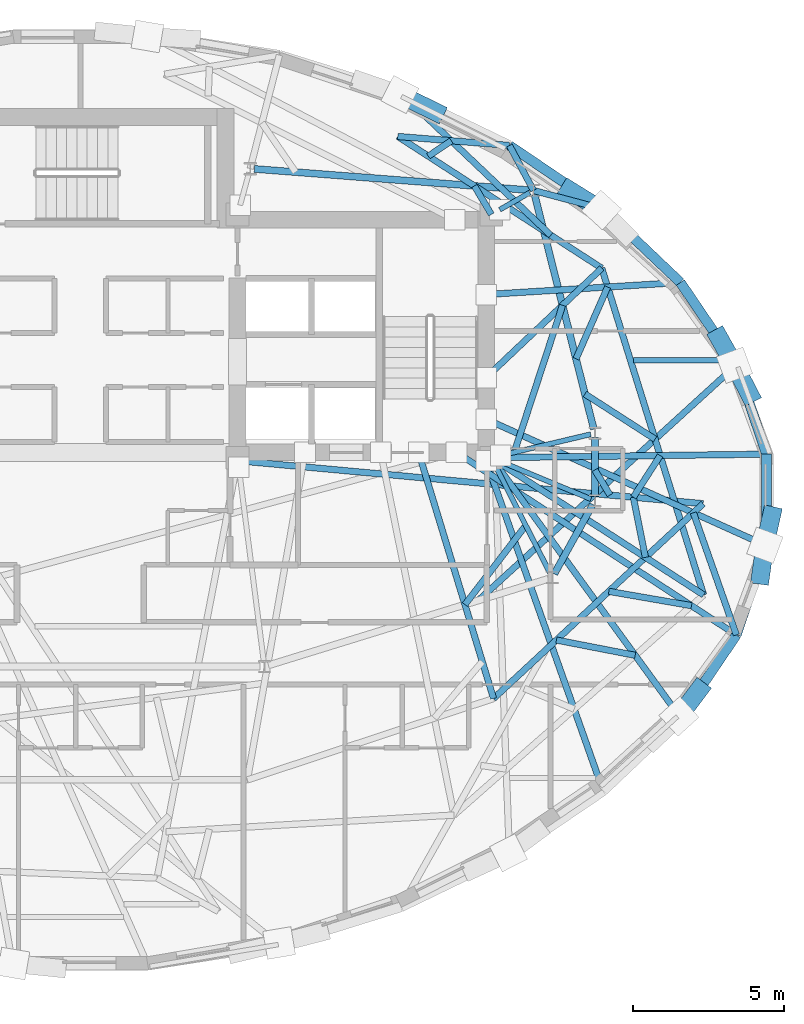
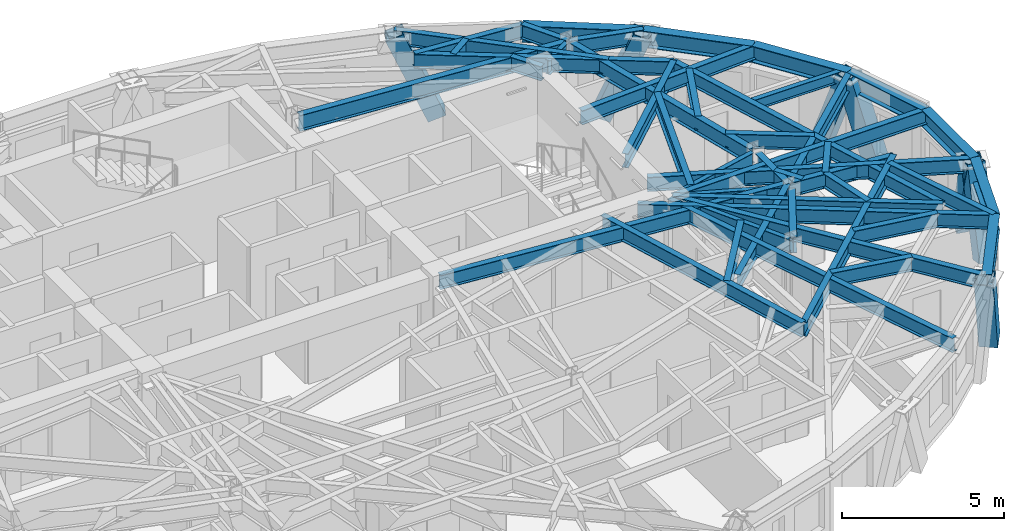
# One storey, part 4 of 14: 46 beams, 7 members.
"""IFC4 building model written with IfcOpenShell, lengths in metres."""

from ifc_helpers import new_model, si_unit, direction, frame, origin, origin_2d, place, context, subcontext, project, spatial, hollow_rectangle, i_section, extrude, material, material_profile, profile_set, type_object, element, save


model = new_model("IFC4")

# Units and contexts
model_context = context("Model", 3, precision=1e-05, world=origin(), true_north=direction((0.0, 1.0)))
body_context = subcontext(model_context, "Body", "Model", "MODEL_VIEW")
ifc_project = project(units=[si_unit("LENGTHUNIT", "METRE"), si_unit("AREAUNIT", "SQUARE_METRE"), si_unit("VOLUMEUNIT", "CUBIC_METRE"), si_unit("PLANEANGLEUNIT", "RADIAN"), si_unit("MASSUNIT", "GRAM", prefix="KILO")], contexts=[model_context])

# Site, building, storey
site_placement = place(None, origin())
site = spatial("IfcSite", under=ifc_project, at=site_placement, CompositionType="ELEMENT")
building_placement = place(site_placement, origin())
building = spatial("IfcBuilding", under=site, at=building_placement, Name="Keldmark Tower", CompositionType="ELEMENT")
storey_placement = place(building_placement, frame((0.0, 0.0, 222.60009765625)))
storey = spatial("IfcBuildingStorey", under=building, at=storey_placement, Name="L62", CompositionType="ELEMENT", Elevation=222.60009765625)

# Beam
ifc_material_1 = material(Name="Steel ASTM A992 Grade 50", Category="steel")
ifc_material_profile_1 = material_profile(ifc_material_1, i_section(OverallWidth=0.177978515625, OverallDepth=0.403076171875, WebThickness=0.007568359375, FlangeThickness=0.010986328125, at=origin_2d()), Name="W16X36")
ifc_profile_set_1 = profile_set([ifc_material_profile_1], Name="Steel ASTM A992 Grade 50")
beam_type_1 = type_object("IfcBeamType", Name="Composite Floor Joist W16X36", PredefinedType="JOIST", material=ifc_profile_set_1)
beam_1_placement = place(storey_placement, frame((18.306396484375, 4.6201171875, 2.768310546875), z_axis=(1.0, 0.0, 0.0), x_axis=(0.0, 1.0, 0.0)))
element("IfcBeam", 1, at=beam_1_placement, inside=storey, type_object=beam_type_1, Name="L62 Composite Floor Joist J08", PredefinedType="JOIST", context=body_context, shape_type="SweptSolid", body=[
    extrude(i_section(OverallWidth=0.177978515625, OverallDepth=0.403076171875, WebThickness=0.007568359375, FlangeThickness=0.010986328125, at=origin_2d()), origin(), (0.0, 0.0, 1.0), 3.10986328125),
])

# Members
ifc_material_2 = material(Name="Steel ASTM A572 Grade 50", Category="steel")
ifc_material_profile_2 = material_profile(ifc_material_2, hollow_rectangle(XDim=0.60009765625, YDim=0.60009765625, WallThickness=0.034912109375, at=origin_2d()), Name="BOX600X600X35")
ifc_profile_set_2 = profile_set([ifc_material_profile_2], Name="Steel ASTM A572 Grade 50")
member_type = type_object("IfcMemberType", Name="Diagrid Zone 4 Brace BOX600X600X35", PredefinedType="BRACE", material=ifc_profile_set_2)
member_1_placement = place(storey_placement, frame((22.144775390625, 3.5, -0.260009765625), z_axis=(-0.150685505266, 0.291582385191, 0.944602345513), x_axis=(-0.88838290515, -0.45910327143, 0.0)))
element("IfcMember", 2, at=member_1_placement, inside=storey, type_object=member_type, Name="L62 Perimeter Diagrid Brace 01A", PredefinedType="BRACE", context=body_context, shape_type="SweptSolid", body=[
    extrude(hollow_rectangle(XDim=0.60009765625, YDim=0.60009765625, WallThickness=0.034912109375, at=origin_2d()), origin(), (0.0, 0.0, 1.0), 3.292236328125),
])
member_2_placement = place(storey_placement, frame((21.127685546875, 5.379638671875, -0.260009765625), z_axis=(0.159186475912, -0.283179673101, 0.945763680117), x_axis=(0.871709789127, 0.490022492892, 0.0)))
element("IfcMember", 3, at=member_2_placement, inside=storey, type_object=member_type, Name="L62 Perimeter Diagrid Brace 01B", PredefinedType="BRACE", context=body_context, shape_type="SweptSolid", body=[
    extrude(hollow_rectangle(XDim=0.60009765625, YDim=0.60009765625, WallThickness=0.034912109375, at=origin_2d()), origin(), (0.0, 0.0, 1.0), 3.2880859375),
])
member_3_placement = place(storey_placement, frame((16.172119140625, 10.261962890625, -0.260009765625), z_axis=(0.32205725029, -0.199714726155, 0.925415126142), x_axis=(0.527014445873, 0.849856325411, 0.0)))
element("IfcMember", 4, at=member_3_placement, inside=storey, type_object=member_type, Name="L62 Perimeter Diagrid Brace 02B", PredefinedType="BRACE", context=body_context, shape_type="SweptSolid", body=[
    extrude(hollow_rectangle(XDim=0.60009765625, YDim=0.60009765625, WallThickness=0.034912109375, at=origin_2d()), origin(), (0.0, 0.0, 1.0), 3.360595703125),
])
member_4_placement = place(storey_placement, frame((11.763427734375, 12.83984375, -0.260009765625), z_axis=(-0.351630084387, 0.171516297583, 0.920292585767), x_axis=(-0.438401801846, -0.898779094182, 0.0)))
element("IfcMember", 5, at=member_4_placement, inside=storey, type_object=member_type, Name="L62 Perimeter Diagrid Brace 03A", PredefinedType="BRACE", context=body_context, shape_type="SweptSolid", body=[
    extrude(hollow_rectangle(XDim=0.60009765625, YDim=0.60009765625, WallThickness=0.034912109375, at=origin_2d()), origin(), (0.0, 0.0, 1.0), 3.379150390625),
])
member_5_placement = place(storey_placement, frame((20.477783203125, -6.272705078125, -0.260009765625), z_axis=(-0.204034138195, -0.271233220988, 0.94063946881), x_axis=(0.799137594781, -0.60114815529, 0.0)))
element("IfcMember", 6, at=member_5_placement, inside=storey, type_object=member_type, Name="L62 Perimeter Diagrid Brace 15B", PredefinedType="BRACE", context=body_context, shape_type="SweptSolid", body=[
    extrude(hollow_rectangle(XDim=0.60009765625, YDim=0.60009765625, WallThickness=0.034912109375, at=origin_2d()), origin(), (0.0, 0.0, 1.0), 3.30615234375),
])
member_6_placement = place(storey_placement, frame((22.511962890625, -2.50146484375, -0.260009765625), z_axis=(0.042776945378, 0.306381472655, 0.950947173169), x_axis=(-0.990393369826, 0.13827860646, 0.0)))
element("IfcMember", 7, at=member_6_placement, inside=storey, type_object=member_type, Name="L62 Perimeter Diagrid Brace 16A", PredefinedType="BRACE", context=body_context, shape_type="SweptSolid", body=[
    extrude(hollow_rectangle(XDim=0.60009765625, YDim=0.60009765625, WallThickness=0.034912109375, at=origin_2d()), origin(), (0.0, 0.0, 1.0), 3.270263671875),
])
member_7_placement = place(storey_placement, frame((22.87451171875, -0.504638671875, -0.260009765625), z_axis=(-0.068703196543, -0.307152468711, 0.949177134022), x_axis=(0.97588530932, -0.218283904705, 0.0)))
element("IfcMember", 8, at=member_7_placement, inside=storey, type_object=member_type, Name="L62 Perimeter Diagrid Brace 16B", PredefinedType="BRACE", context=body_context, shape_type="SweptSolid", body=[
    extrude(hollow_rectangle(XDim=0.60009765625, YDim=0.60009765625, WallThickness=0.034912109375, at=origin_2d()), origin(), (0.0, 0.0, 1.0), 3.2763671875),
])

# Beams
ifc_material_3 = material(Name="Steel ASTM A992 Grade 50", Category="steel")
ifc_material_profile_3 = material_profile(ifc_material_3, i_section(OverallWidth=0.22802734375, OverallDepth=0.60302734375, WebThickness=0.010498046875, FlangeThickness=0.014892578125, at=origin_2d()), Name="W24X68")
ifc_profile_set_3 = profile_set([ifc_material_profile_3], Name="Steel ASTM A992 Grade 50")
beam_type_2 = type_object("IfcBeamType", Name="Primary Floor Girder W24X68", PredefinedType="BEAM", material=ifc_profile_set_3)
beam_2_placement = place(storey_placement, frame((16.9912109375, 2.34375, 2.66845703125), z_axis=(-0.244902129455, 0.969547805417, 0.0), x_axis=(-0.969547805417, -0.244902129455, 0.0)))
element("IfcBeam", 9, at=beam_2_placement, inside=storey, type_object=beam_type_2, Name="L62 Floor Ring Girder FG-R01", PredefinedType="BEAM", context=body_context, shape_type="SweptSolid", body=[
    extrude(i_section(OverallWidth=0.22802734375, OverallDepth=0.60302734375, WebThickness=0.010498046875, FlangeThickness=0.014892578125, at=origin_2d()), origin(), (0.0, 0.0, 1.0), 8.008056640625),
])
beam_3_placement = place(storey_placement, frame((14.856201171875, 10.25439453125, 2.66845703125), z_axis=(-0.997037147832, 0.076921556421, 0.0), x_axis=(-0.076921556421, -0.997037147832, 0.0)))
element("IfcBeam", 10, at=beam_3_placement, inside=storey, type_object=beam_type_2, Name="L62 Floor Ring Girder FG-R02", PredefinedType="BEAM", context=body_context, shape_type="SweptSolid", body=[
    extrude(i_section(OverallWidth=0.22802734375, OverallDepth=0.60302734375, WebThickness=0.010498046875, FlangeThickness=0.014892578125, at=origin_2d()), origin(), (0.0, 0.0, 1.0), 9.125),
])
beam_4_placement = place(storey_placement, frame((15.68408203125, -2.44482421875, 2.66845703125), z_axis=(0.484719680408, 0.874669555561, 0.0), x_axis=(-0.874669555561, 0.484719680408, 0.0)))
element("IfcBeam", 11, at=beam_4_placement, inside=storey, type_object=beam_type_2, Name="L62 Floor Ring Girder FG-R11", PredefinedType="BEAM", context=body_context, shape_type="SweptSolid", body=[
    extrude(i_section(OverallWidth=0.22802734375, OverallDepth=0.60302734375, WebThickness=0.010498046875, FlangeThickness=0.014892578125, at=origin_2d()), origin(), (0.0, 0.0, 1.0), 2.627685546875),
])
beam_5_placement = place(storey_placement, frame((17.025634765625, 0.115966796875, 2.66845703125), z_axis=(0.0, 1.0, 0.0), x_axis=(-1.0, 0.0, 0.0)))
element("IfcBeam", 12, at=beam_5_placement, inside=storey, type_object=beam_type_2, Name="L62 Floor Ring Girder FG-R12", PredefinedType="BEAM", context=body_context, shape_type="SweptSolid", body=[
    extrude(i_section(OverallWidth=0.22802734375, OverallDepth=0.60302734375, WebThickness=0.010498046875, FlangeThickness=0.014892578125, at=origin_2d()), origin(), (0.0, 0.0, 1.0), 1.9521484375),
])
ifc_material_4 = material(Name="Steel ASTM A992 Grade 50", Category="steel")
ifc_material_profile_4 = material_profile(ifc_material_4, i_section(OverallWidth=0.166015625, OverallDepth=0.529052734375, WebThickness=0.009765625, FlangeThickness=0.013671875, at=origin_2d()), Name="W21X50")
ifc_profile_set_4 = profile_set([ifc_material_profile_4], Name="Steel ASTM A992 Grade 50")
beam_type_3 = type_object("IfcBeamType", Name="Radial Tie Girder W21X50", PredefinedType="BEAM", material=ifc_profile_set_4)
beam_6_placement = place(storey_placement, frame((16.889404296875, 2.17578125, 2.705322265625), z_axis=(-0.97329039005, -0.229577474147, 0.0), x_axis=(0.229577474147, -0.97329039005, 0.0)))
element("IfcBeam", 13, at=beam_6_placement, inside=storey, type_object=beam_type_3, Name="L62 Floor Radial Girder FG-C01", PredefinedType="BEAM", context=body_context, shape_type="SweptSolid", body=[
    extrude(i_section(OverallWidth=0.166015625, OverallDepth=0.529052734375, WebThickness=0.009765625, FlangeThickness=0.013671875, at=origin_2d()), origin(), (0.0, 0.0, 1.0), 3.0595703125),
])
beam_7_placement = place(storey_placement, frame((14.8740234375, 10.174560546875, 2.705322265625), z_axis=(-0.869238046195, -0.494393789451, 0.0), x_axis=(0.494393789451, -0.869238046195, 0.0)))
element("IfcBeam", 14, at=beam_7_placement, inside=storey, type_object=beam_type_3, Name="L62 Floor Radial Girder FG-C02", PredefinedType="BEAM", context=body_context, shape_type="SweptSolid", body=[
    extrude(i_section(OverallWidth=0.166015625, OverallDepth=0.529052734375, WebThickness=0.009765625, FlangeThickness=0.013671875, at=origin_2d()), origin(), (0.0, 0.0, 1.0), 1.145751953125),
])
beam_8_placement = place(storey_placement, frame((15.552734375, -2.442626953125, 2.705322265625), z_axis=(-0.453004410574, 0.89150827478, 0.0), x_axis=(-0.89150827478, -0.453004410574, 0.0)))
element("IfcBeam", 15, at=beam_8_placement, inside=storey, type_object=beam_type_3, Name="L62 Floor Radial Girder FG-C11", PredefinedType="BEAM", context=body_context, shape_type="SweptSolid", body=[
    extrude(i_section(OverallWidth=0.166015625, OverallDepth=0.529052734375, WebThickness=0.009765625, FlangeThickness=0.013671875, at=origin_2d()), origin(), (0.0, 0.0, 1.0), 3.990234375),
])
beam_9_placement = place(storey_placement, frame((16.896240234375, 0.02978515625, 2.705322265625), z_axis=(-0.923403331902, 0.383831065226, 0.0), x_axis=(-0.383831065226, -0.923403331902, 0.0)))
element("IfcBeam", 16, at=beam_9_placement, inside=storey, type_object=beam_type_3, Name="L62 Floor Radial Girder FG-C12", PredefinedType="BEAM", context=body_context, shape_type="SweptSolid", body=[
    extrude(i_section(OverallWidth=0.166015625, OverallDepth=0.529052734375, WebThickness=0.009765625, FlangeThickness=0.013671875, at=origin_2d()), origin(), (0.0, 0.0, 1.0), 3.249755859375),
])
ifc_material_5 = material(Name="Steel ASTM A992 Grade 50", Category="steel")
ifc_material_profile_5 = material_profile(ifc_material_5, i_section(OverallWidth=0.2099609375, OverallDepth=0.537109375, WebThickness=0.010986328125, FlangeThickness=0.017333984375, at=origin_2d()), Name="W21X68")
ifc_profile_set_5 = profile_set([ifc_material_profile_5], Name="Steel ASTM A992 Grade 50")
beam_type_4 = type_object("IfcBeamType", Name="Radial Tie Girder W21X68", PredefinedType="BEAM", material=ifc_profile_set_5)
beam_10_placement = place(storey_placement, frame((14.7392578125, -0.841796875, 2.701416015625), z_axis=(-0.609371387623, -0.792884929827, 0.0), x_axis=(0.792884929827, -0.609371387623, 0.0)))
element("IfcBeam", 17, at=beam_10_placement, inside=storey, type_object=beam_type_4, Name="L62 Framing Pin Header PH-005", PredefinedType="BEAM", context=body_context, shape_type="SweptSolid", body=[
    extrude(i_section(OverallWidth=0.2099609375, OverallDepth=0.537109375, WebThickness=0.010986328125, FlangeThickness=0.017333984375, at=origin_2d()), origin(), (0.0, 0.0, 1.0), 3.30322265625),
])
beam_11_placement = place(storey_placement, frame((11.19287109375, 1.574951171875, 2.701416015625), z_axis=(0.29127571645, -0.956639146704, 0.0), x_axis=(0.956639146704, 0.29127571645, 0.0)))
element("IfcBeam", 18, at=beam_11_placement, inside=storey, type_object=beam_type_4, Name="L62 Sub-Ring Step Girder STP1-M11", PredefinedType="BEAM", context=body_context, shape_type="SweptSolid", body=[
    extrude(i_section(OverallWidth=0.2099609375, OverallDepth=0.537109375, WebThickness=0.010986328125, FlangeThickness=0.017333984375, at=origin_2d()), origin(), (0.0, 0.0, 1.0), 8.51416015625),
])
beam_12_placement = place(storey_placement, frame((17.025634765625, 0.994384765625, 2.701416015625), z_axis=(0.515087415322, -0.857137652059, 0.0), x_axis=(0.857137652059, 0.515087415322, 0.0)))
element("IfcBeam", 19, at=beam_12_placement, inside=storey, type_object=beam_type_4, Name="L62 Framing Pin Header PH-006", PredefinedType="BEAM", context=body_context, shape_type="SweptSolid", body=[
    extrude(i_section(OverallWidth=0.2099609375, OverallDepth=0.537109375, WebThickness=0.010986328125, FlangeThickness=0.017333984375, at=origin_2d()), origin(), (0.0, 0.0, 1.0), 0.970703125),
])
beam_13_placement = place(storey_placement, frame((5.199951171875, 1.300048828125, 2.701416015625), z_axis=(0.99576681231, -0.091915480203, 0.0), x_axis=(0.091915480203, 0.99576681231, 0.0)))
element("IfcBeam", 20, at=beam_13_placement, inside=storey, type_object=beam_type_4, Name="L62 Sub-Ring Step Girder STP1-M12", PredefinedType="BEAM", context=body_context, shape_type="SweptSolid", body=[
    extrude(i_section(OverallWidth=0.2099609375, OverallDepth=0.537109375, WebThickness=0.010986328125, FlangeThickness=0.017333984375, at=origin_2d()), origin(), (0.0, 0.0, 1.0), 15.474609375),
])
beam_14_placement = place(storey_placement, frame((13.6728515625, -6.570068359375, 2.701416015625), z_axis=(0.732428867683, 0.680843560434, 0.0), x_axis=(-0.680843560434, 0.732428867683, 0.0)))
element("IfcBeam", 21, at=beam_14_placement, inside=storey, type_object=beam_type_4, Name="L62 Perimeter Collector Ring Beam CRG1-M11", PredefinedType="BEAM", context=body_context, shape_type="SweptSolid", body=[
    extrude(i_section(OverallWidth=0.2099609375, OverallDepth=0.537109375, WebThickness=0.010986328125, FlangeThickness=0.017333984375, at=origin_2d()), origin(), (0.0, 0.0, 1.0), 9.47021484375),
])
beam_15_placement = place(storey_placement, frame((14.358154296875, 1.578857421875, 2.701416015625), z_axis=(0.312033399896, 0.950071132784, 0.0), x_axis=(-0.950071132784, 0.312033399896, 0.0)))
element("IfcBeam", 22, at=beam_15_placement, inside=storey, type_object=beam_type_4, Name="L62 Framing Pin Header PH-007", PredefinedType="BEAM", context=body_context, shape_type="SweptSolid", body=[
    extrude(i_section(OverallWidth=0.2099609375, OverallDepth=0.537109375, WebThickness=0.010986328125, FlangeThickness=0.017333984375, at=origin_2d()), origin(), (0.0, 0.0, 1.0), 5.1201171875),
])
beam_16_placement = place(storey_placement, frame((13.425048828125, 4.050048828125, 2.701416015625), z_axis=(0.726541536828, 0.687122547486, 0.0), x_axis=(-0.687122547486, 0.726541536828, 0.0)))
element("IfcBeam", 23, at=beam_16_placement, inside=storey, type_object=beam_type_4, Name="L62 Sub-Ring Step Girder STP2-M01", PredefinedType="BEAM", context=body_context, shape_type="SweptSolid", body=[
    extrude(i_section(OverallWidth=0.2099609375, OverallDepth=0.537109375, WebThickness=0.010986328125, FlangeThickness=0.017333984375, at=origin_2d()), origin(), (0.0, 0.0, 1.0), 5.270751953125),
])
beam_17_placement = place(storey_placement, frame((18.2978515625, 0.091064453125, 2.701416015625), z_axis=(0.197828274358, -0.980236692776, 0.0), x_axis=(0.980236692776, 0.197828274358, 0.0)))
element("IfcBeam", 24, at=beam_17_placement, inside=storey, type_object=beam_type_4, Name="L62 Framing Pin Header PH-012", PredefinedType="BEAM", context=body_context, shape_type="SweptSolid", body=[
    extrude(i_section(OverallWidth=0.2099609375, OverallDepth=0.537109375, WebThickness=0.010986328125, FlangeThickness=0.017333984375, at=origin_2d()), origin(), (0.0, 0.0, 1.0), 2.02880859375),
])
beam_18_placement = place(storey_placement, frame((13.60009765625, 1.39990234375, 2.701416015625), z_axis=(0.839717303079, -0.543023803263, 0.0), x_axis=(0.543023803263, 0.839717303079, 0.0)))
element("IfcBeam", 25, at=beam_18_placement, inside=storey, type_object=beam_type_4, Name="L62 Sub-Ring Step Girder STP2-M12", PredefinedType="BEAM", context=body_context, shape_type="SweptSolid", body=[
    extrude(i_section(OverallWidth=0.2099609375, OverallDepth=0.537109375, WebThickness=0.010986328125, FlangeThickness=0.017333984375, at=origin_2d()), origin(), (0.0, 0.0, 1.0), 8.366943359375),
])
beam_19_placement = place(storey_placement, frame((20.6259765625, -3.1435546875, 2.701416015625), z_axis=(-0.297618424322, 0.954684907969, 0.0), x_axis=(-0.954684907969, -0.297618424322, 0.0)))
element("IfcBeam", 26, at=beam_19_placement, inside=storey, type_object=beam_type_4, Name="L62 Perimeter Collector Ring Beam CRG2-M12", PredefinedType="BEAM", context=body_context, shape_type="SweptSolid", body=[
    extrude(i_section(OverallWidth=0.2099609375, OverallDepth=0.537109375, WebThickness=0.010986328125, FlangeThickness=0.017333984375, at=origin_2d()), origin(), (0.0, 0.0, 1.0), 11.32861328125),
])
beam_20_placement = place(storey_placement, frame((18.2978515625, 0.091064453125, 2.701416015625), z_axis=(0.541561278499, 0.840661276396, 0.0), x_axis=(-0.840661276396, 0.541561278499, 0.0)))
element("IfcBeam", 27, at=beam_20_placement, inside=storey, type_object=beam_type_4, Name="L62 Framing Pin Header PH-013", PredefinedType="BEAM", context=body_context, shape_type="SweptSolid", body=[
    extrude(i_section(OverallWidth=0.2099609375, OverallDepth=0.537109375, WebThickness=0.010986328125, FlangeThickness=0.017333984375, at=origin_2d()), origin(), (0.0, 0.0, 1.0), 1.642333984375),
])
beam_21_placement = place(storey_placement, frame((13.60009765625, 1.39990234375, 2.701416015625), z_axis=(0.999917602588, 0.012836979219, 0.0), x_axis=(-0.012836979219, 0.999917602588, 0.0)))
element("IfcBeam", 28, at=beam_21_placement, inside=storey, type_object=beam_type_4, Name="L62 Perimeter Radial Tie Girder RT-01", PredefinedType="BEAM", context=body_context, shape_type="SweptSolid", body=[
    extrude(i_section(OverallWidth=0.2099609375, OverallDepth=0.537109375, WebThickness=0.010986328125, FlangeThickness=0.017333984375, at=origin_2d()), origin(), (0.0, 0.0, 1.0), 9.10986328125),
])
beam_22_placement = place(storey_placement, frame((16.697021484375, 3.50830078125, 2.701416015625), z_axis=(0.840612179886, -0.541637483033, 0.0), x_axis=(0.541637483033, 0.840612179886, 0.0)))
element("IfcBeam", 29, at=beam_22_placement, inside=storey, type_object=beam_type_4, Name="L62 Framing Pin Header PH-014", PredefinedType="BEAM", context=body_context, shape_type="SweptSolid", body=[
    extrude(i_section(OverallWidth=0.2099609375, OverallDepth=0.537109375, WebThickness=0.010986328125, FlangeThickness=0.017333984375, at=origin_2d()), origin(), (0.0, 0.0, 1.0), 2.76171875),
])
beam_23_placement = place(storey_placement, frame((13.16748046875, -3.324462890625, 2.701416015625), z_axis=(0.738831510809, 0.673890197759, 0.0), x_axis=(-0.673890197759, 0.738831510809, 0.0)))
element("IfcBeam", 30, at=beam_23_placement, inside=storey, type_object=beam_type_4, Name="L62 Perimeter Radial Tie Girder RT-02", PredefinedType="BEAM", context=body_context, shape_type="SweptSolid", body=[
    extrude(i_section(OverallWidth=0.2099609375, OverallDepth=0.537109375, WebThickness=0.010986328125, FlangeThickness=0.017333984375, at=origin_2d()), origin(), (0.0, 0.0, 1.0), 11.56005859375),
])
beam_24_placement = place(storey_placement, frame((16.40283203125, 4.673095703125, 2.701416015625), z_axis=(0.402845780916, 0.915267871608, 0.0), x_axis=(-0.915267871608, 0.402845780916, 0.0)))
element("IfcBeam", 31, at=beam_24_placement, inside=storey, type_object=beam_type_4, Name="L62 Framing Pin Header PH-015", PredefinedType="BEAM", context=body_context, shape_type="SweptSolid", body=[
    extrude(i_section(OverallWidth=0.2099609375, OverallDepth=0.537109375, WebThickness=0.010986328125, FlangeThickness=0.017333984375, at=origin_2d()), origin(), (0.0, 0.0, 1.0), 2.595703125),
])
beam_25_placement = place(storey_placement, frame((13.425048828125, 6.800048828125, 2.701416015625), z_axis=(0.998093348907, 0.061722498875, 0.0), x_axis=(-0.061722498875, 0.998093348907, 0.0)))
element("IfcBeam", 32, at=beam_25_placement, inside=storey, type_object=beam_type_4, Name="L62 Perimeter Radial Tie Girder RT-03", PredefinedType="BEAM", context=body_context, shape_type="SweptSolid", body=[
    extrude(i_section(OverallWidth=0.2099609375, OverallDepth=0.537109375, WebThickness=0.010986328125, FlangeThickness=0.017333984375, at=origin_2d()), origin(), (0.0, 0.0, 1.0), 6.443359375),
])
beam_26_placement = place(storey_placement, frame((14.995849609375, 10.24365234375, 2.701416015625), z_axis=(0.966224746964, -0.257700869914, 0.0), x_axis=(0.257700869914, 0.966224746964, 0.0)))
element("IfcBeam", 33, at=beam_26_placement, inside=storey, type_object=beam_type_4, Name="L62 Perimeter Column Bracket RT-04", PredefinedType="BEAM", context=body_context, shape_type="SweptSolid", body=[
    extrude(i_section(OverallWidth=0.2099609375, OverallDepth=0.537109375, WebThickness=0.010986328125, FlangeThickness=0.017333984375, at=origin_2d()), origin(), (0.0, 0.0, 1.0), 2.385498046875),
])
beam_27_placement = place(storey_placement, frame((14.995849609375, 10.24365234375, 2.701416015625), z_axis=(-0.47212516294, 0.881531525539, 0.0), x_axis=(-0.881531525539, -0.47212516294, 0.0)))
element("IfcBeam", 34, at=beam_27_placement, inside=storey, type_object=beam_type_4, Name="L62 Perimeter Column Bracket RT-05", PredefinedType="BEAM", context=body_context, shape_type="SweptSolid", body=[
    extrude(i_section(OverallWidth=0.2099609375, OverallDepth=0.537109375, WebThickness=0.010986328125, FlangeThickness=0.017333984375, at=origin_2d()), origin(), (0.0, 0.0, 1.0), 1.689453125),
])
beam_28_placement = place(storey_placement, frame((13.60009765625, 9.449951171875, 2.701416015625), z_axis=(-0.511062088131, 0.859543798812, 0.0), x_axis=(-0.859543798812, -0.511062088131, 0.0)))
element("IfcBeam", 35, at=beam_28_placement, inside=storey, type_object=beam_type_4, Name="L62 Framing Pin Header PH-016", PredefinedType="BEAM", context=body_context, shape_type="SweptSolid", body=[
    extrude(i_section(OverallWidth=0.2099609375, OverallDepth=0.537109375, WebThickness=0.010986328125, FlangeThickness=0.017333984375, at=origin_2d()), origin(), (0.0, 0.0, 1.0), 1.09912109375),
])
beam_29_placement = place(storey_placement, frame((17.25439453125, 7.671630859375, 2.701416015625), z_axis=(-0.840018900834, 0.542557136384, 0.0), x_axis=(-0.542557136384, -0.840018900834, 0.0)))
element("IfcBeam", 36, at=beam_29_placement, inside=storey, type_object=beam_type_4, Name="L62 Intermediate Radial Step Girder RT-06M", PredefinedType="BEAM", context=body_context, shape_type="SweptSolid", body=[
    extrude(i_section(OverallWidth=0.2099609375, OverallDepth=0.537109375, WebThickness=0.010986328125, FlangeThickness=0.017333984375, at=origin_2d()), origin(), (0.0, 0.0, 1.0), 8.03759765625),
])
beam_30_placement = place(storey_placement, frame((14.1982421875, 11.73291015625, 2.701416015625), z_axis=(-0.996730768138, 0.080794652342, 0.0), x_axis=(-0.080794652342, -0.996730768138, 0.0)))
element("IfcBeam", 37, at=beam_30_placement, inside=storey, type_object=beam_type_4, Name="L62 Local Collector Chord RT-06C", PredefinedType="BEAM", context=body_context, shape_type="SweptSolid", body=[
    extrude(i_section(OverallWidth=0.2099609375, OverallDepth=0.537109375, WebThickness=0.010986328125, FlangeThickness=0.017333984375, at=origin_2d()), origin(), (0.0, 0.0, 1.0), 3.707763671875),
])
beam_31_placement = place(storey_placement, frame((11.515380859375, 11.37841796875, 2.701416015625), z_axis=(0.829535402956, 0.558454129936, 0.0), x_axis=(-0.558454129936, 0.829535402956, 0.0)))
element("IfcBeam", 38, at=beam_31_placement, inside=storey, type_object=beam_type_4, Name="L62 Framing Pin Header PH-017", PredefinedType="BEAM", context=body_context, shape_type="SweptSolid", body=[
    extrude(i_section(OverallWidth=0.2099609375, OverallDepth=0.537109375, WebThickness=0.010986328125, FlangeThickness=0.017333984375, at=origin_2d()), origin(), (0.0, 0.0, 1.0), 0.9140625),
])
beam_32_placement = place(storey_placement, frame((15.56640625, 8.76171875, 2.701416015625), z_axis=(-0.725099367322, 0.688644253232, 0.0), x_axis=(-0.688644253232, -0.725099367322, 0.0)))
element("IfcBeam", 39, at=beam_32_placement, inside=storey, type_object=beam_type_4, Name="L62 Perimeter Radial Tie Girder RT-06", PredefinedType="BEAM", context=body_context, shape_type="SweptSolid", body=[
    extrude(i_section(OverallWidth=0.2099609375, OverallDepth=0.537109375, WebThickness=0.010986328125, FlangeThickness=0.017333984375, at=origin_2d()), origin(), (0.0, 0.0, 1.0), 6.8310546875),
])
beam_33_placement = place(storey_placement, frame((13.425048828125, 1.300048828125, 2.701416015625), z_axis=(0.33423490691, -0.942489802068, 0.0), x_axis=(0.942489802068, 0.33423490691, 0.0)))
element("IfcBeam", 40, at=beam_33_placement, inside=storey, type_object=beam_type_4, Name="L62 Perimeter Radial Tie Girder RT-29", PredefinedType="BEAM", context=body_context, shape_type="SweptSolid", body=[
    extrude(i_section(OverallWidth=0.2099609375, OverallDepth=0.537109375, WebThickness=0.010986328125, FlangeThickness=0.017333984375, at=origin_2d()), origin(), (0.0, 0.0, 1.0), 11.595947265625),
])
beam_34_placement = place(storey_placement, frame((15.75390625, -4.6357421875, 2.701416015625), z_axis=(0.981706710336, -0.190399408826, 0.0), x_axis=(0.190399408826, 0.981706710336, 0.0)))
element("IfcBeam", 41, at=beam_34_placement, inside=storey, type_object=beam_type_4, Name="L62 Framing Pin Header PH-035", PredefinedType="BEAM", context=body_context, shape_type="SweptSolid", body=[
    extrude(i_section(OverallWidth=0.2099609375, OverallDepth=0.537109375, WebThickness=0.010986328125, FlangeThickness=0.017333984375, at=origin_2d()), origin(), (0.0, 0.0, 1.0), 2.654296875),
])
beam_35_placement = place(storey_placement, frame((13.60009765625, 1.39990234375, 2.701416015625), z_axis=(0.588372370006, -0.808590102718, 0.0), x_axis=(0.808590102718, 0.588372370006, 0.0)))
element("IfcBeam", 42, at=beam_35_placement, inside=storey, type_object=beam_type_4, Name="L62 Perimeter Radial Tie Girder RT-30", PredefinedType="BEAM", context=body_context, shape_type="SweptSolid", body=[
    extrude(i_section(OverallWidth=0.2099609375, OverallDepth=0.537109375, WebThickness=0.010986328125, FlangeThickness=0.017333984375, at=origin_2d()), origin(), (0.0, 0.0, 1.0), 10.6328125),
])
beam_36_placement = place(storey_placement, frame((17.48779296875, -3.023681640625, 2.701416015625), z_axis=(0.985318669896, -0.170725272746, 0.0), x_axis=(0.170725272746, 0.985318669896, 0.0)))
element("IfcBeam", 43, at=beam_36_placement, inside=storey, type_object=beam_type_4, Name="L62 Framing Pin Header PH-036", PredefinedType="BEAM", context=body_context, shape_type="SweptSolid", body=[
    extrude(i_section(OverallWidth=0.2099609375, OverallDepth=0.537109375, WebThickness=0.010986328125, FlangeThickness=0.017333984375, at=origin_2d()), origin(), (0.0, 0.0, 1.0), 2.777099609375),
])
beam_37_placement = place(storey_placement, frame((12.4462890625, 1.574951171875, 2.701416015625), z_axis=(0.837602251538, -0.546280576461, 0.0), x_axis=(0.546280576461, 0.837602251538, 0.0)))
element("IfcBeam", 44, at=beam_37_placement, inside=storey, type_object=beam_type_4, Name="L62 Perimeter Radial Tie Girder RT-31", PredefinedType="BEAM", context=body_context, shape_type="SweptSolid", body=[
    extrude(i_section(OverallWidth=0.2099609375, OverallDepth=0.537109375, WebThickness=0.010986328125, FlangeThickness=0.017333984375, at=origin_2d()), origin(), (0.0, 0.0, 1.0), 11.05810546875),
])
beam_38_placement = place(storey_placement, frame((21.70849609375, -4.4658203125, 2.701416015625), z_axis=(-0.331905272978, 0.94331272109, 0.0), x_axis=(-0.94331272109, -0.331905272978, 0.0)))
element("IfcBeam", 45, at=beam_38_placement, inside=storey, type_object=beam_type_4, Name="L62 Framing Pin Header PH-037", PredefinedType="BEAM", context=body_context, shape_type="SweptSolid", body=[
    extrude(i_section(OverallWidth=0.2099609375, OverallDepth=0.537109375, WebThickness=0.010986328125, FlangeThickness=0.017333984375, at=origin_2d()), origin(), (0.0, 0.0, 1.0), 4.2861328125),
])
beam_39_placement = place(storey_placement, frame((13.425048828125, 2.675048828125, 2.701416015625), z_axis=(0.911405976704, -0.411508378563, 0.0), x_axis=(0.411508378563, 0.911405976704, 0.0)))
element("IfcBeam", 46, at=beam_39_placement, inside=storey, type_object=beam_type_4, Name="L62 Perimeter Radial Tie Girder RT-32", PredefinedType="BEAM", context=body_context, shape_type="SweptSolid", body=[
    extrude(i_section(OverallWidth=0.2099609375, OverallDepth=0.537109375, WebThickness=0.010986328125, FlangeThickness=0.017333984375, at=origin_2d()), origin(), (0.0, 0.0, 1.0), 10.186767578125),
])
ifc_material_6 = material(Name="Steel ASTM A992 Grade 50", Category="steel")
ifc_material_profile_6 = material_profile(ifc_material_6, i_section(OverallWidth=0.326904296875, OverallDepth=0.6220703125, WebThickness=0.015380859375, FlangeThickness=0.0244140625, at=origin_2d()), Name="W24X131")
ifc_profile_set_6 = profile_set([ifc_material_profile_6], Name="Steel ASTM A992 Grade 50")
beam_type_5 = type_object("IfcBeamType", Name="Spandrel Ring Beam W24X131", PredefinedType="SPANDREL", material=ifc_profile_set_6)
beam_40_placement = place(storey_placement, frame((22.709228515625, 1.516845703125, 2.658935546875), z_axis=(-0.321350327807, 0.946960382919, 0.0), x_axis=(-0.946960382919, -0.321350327807, 0.0)))
element("IfcBeam", 47, at=beam_40_placement, inside=storey, type_object=beam_type_5, Name="L62 Perimeter Spandrel Ring Beam SRB-01", PredefinedType="SPANDREL", context=body_context, shape_type="SweptSolid", body=[
    extrude(i_section(OverallWidth=0.326904296875, OverallDepth=0.6220703125, WebThickness=0.015380859375, FlangeThickness=0.0244140625, at=origin_2d()), origin(), (0.0, 0.0, 1.0), 3.1142578125),
])
beam_41_placement = place(storey_placement, frame((21.70849609375, 4.4658203125, 2.658935546875), z_axis=(-0.561186647073, 0.827689281764, 0.0), x_axis=(-0.827689281764, -0.561186647073, 0.0)))
element("IfcBeam", 48, at=beam_41_placement, inside=storey, type_object=beam_type_5, Name="L62 Perimeter Spandrel Ring Beam SRB-02", PredefinedType="SPANDREL", context=body_context, shape_type="SweptSolid", body=[
    extrude(i_section(OverallWidth=0.326904296875, OverallDepth=0.6220703125, WebThickness=0.015380859375, FlangeThickness=0.0244140625, at=origin_2d()), origin(), (0.0, 0.0, 1.0), 3.30078125),
])
beam_42_placement = place(storey_placement, frame((19.856201171875, 7.19775390625, 2.658935546875), z_axis=(-0.724503260132, 0.689271373306, 0.0), x_axis=(-0.689271373306, -0.724503260132, 0.0)))
element("IfcBeam", 49, at=beam_42_placement, inside=storey, type_object=beam_type_5, Name="L62 Perimeter Spandrel Ring Beam SRB-03", PredefinedType="SPANDREL", context=body_context, shape_type="SweptSolid", body=[
    extrude(i_section(OverallWidth=0.326904296875, OverallDepth=0.6220703125, WebThickness=0.015380859375, FlangeThickness=0.0244140625, at=origin_2d()), origin(), (0.0, 0.0, 1.0), 3.527099609375),
])
beam_43_placement = place(storey_placement, frame((17.30078125, 9.62890625, 2.658935546875), z_axis=(-0.827635686249, 0.561265686504, 0.0), x_axis=(-0.561265686504, -0.827635686249, 0.0)))
element("IfcBeam", 50, at=beam_43_placement, inside=storey, type_object=beam_type_5, Name="L62 Perimeter Spandrel Ring Beam SRB-04", PredefinedType="SPANDREL", context=body_context, shape_type="SweptSolid", body=[
    extrude(i_section(OverallWidth=0.326904296875, OverallDepth=0.6220703125, WebThickness=0.015380859375, FlangeThickness=0.0244140625, at=origin_2d()), origin(), (0.0, 0.0, 1.0), 3.748779296875),
])
beam_44_placement = place(storey_placement, frame((19.856201171875, -7.19775390625, 2.658935546875), z_axis=(0.561186647073, 0.827689281764, 0.0), x_axis=(-0.827689281764, 0.561186647073, 0.0)))
element("IfcBeam", 51, at=beam_44_placement, inside=storey, type_object=beam_type_5, Name="L62 Perimeter Spandrel Ring Beam SRB-30", PredefinedType="SPANDREL", context=body_context, shape_type="SweptSolid", body=[
    extrude(i_section(OverallWidth=0.326904296875, OverallDepth=0.6220703125, WebThickness=0.015380859375, FlangeThickness=0.0244140625, at=origin_2d()), origin(), (0.0, 0.0, 1.0), 3.30078125),
])
beam_45_placement = place(storey_placement, frame((21.70849609375, -4.4658203125, 2.658935546875), z_axis=(0.321350327807, 0.946960382919, 0.0), x_axis=(-0.946960382919, 0.321350327807, 0.0)))
element("IfcBeam", 52, at=beam_45_placement, inside=storey, type_object=beam_type_5, Name="L62 Perimeter Spandrel Ring Beam SRB-31", PredefinedType="SPANDREL", context=body_context, shape_type="SweptSolid", body=[
    extrude(i_section(OverallWidth=0.326904296875, OverallDepth=0.6220703125, WebThickness=0.015380859375, FlangeThickness=0.0244140625, at=origin_2d()), origin(), (0.0, 0.0, 1.0), 3.1142578125),
])
beam_46_placement = place(storey_placement, frame((22.709228515625, -1.516845703125, 2.658935546875), z_axis=(0.0, 1.0, 0.0), x_axis=(-1.0, 0.0, 0.0)))
element("IfcBeam", 53, at=beam_46_placement, inside=storey, type_object=beam_type_5, Name="L62 Perimeter Spandrel Ring Beam SRB-32", PredefinedType="SPANDREL", context=body_context, shape_type="SweptSolid", body=[
    extrude(i_section(OverallWidth=0.326904296875, OverallDepth=0.6220703125, WebThickness=0.015380859375, FlangeThickness=0.0244140625, at=origin_2d()), origin(), (0.0, 0.0, 1.0), 3.03369140625),
])

save(model, "model.ifc")
